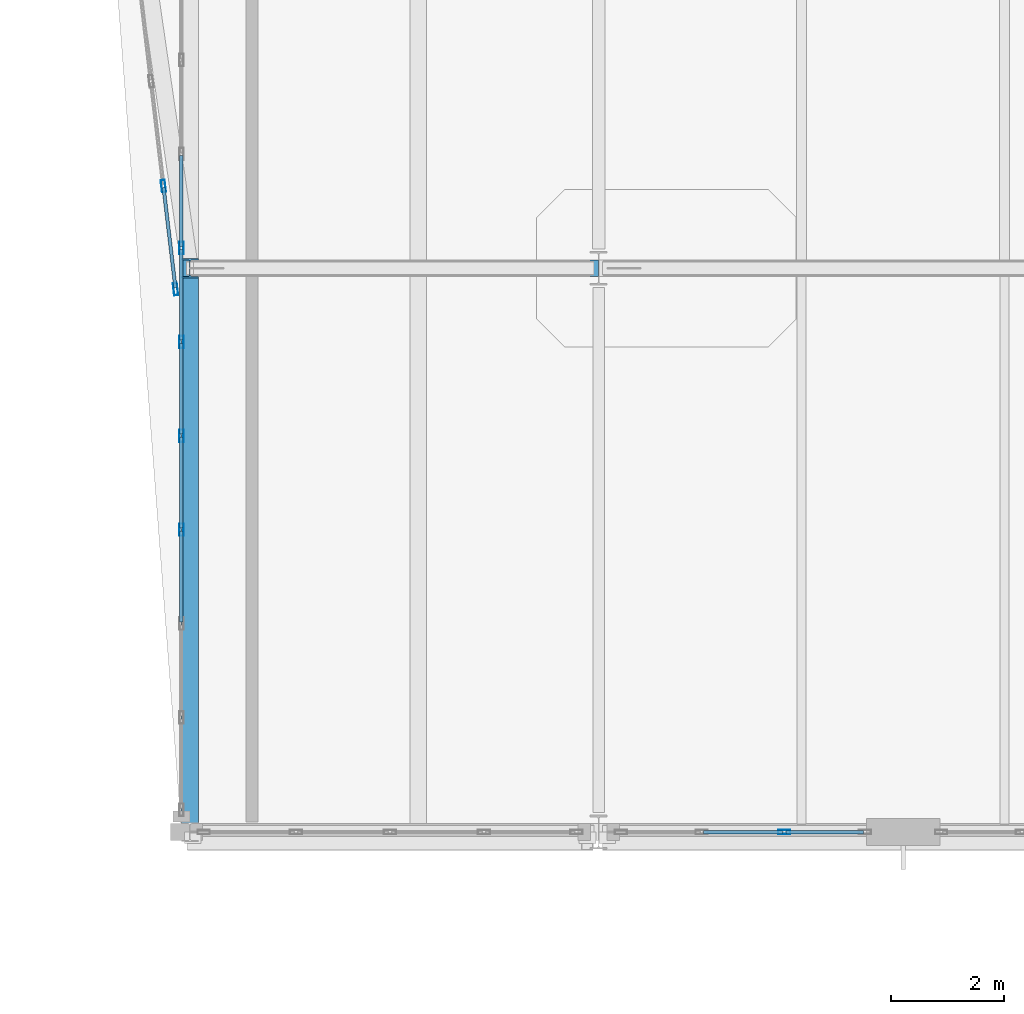
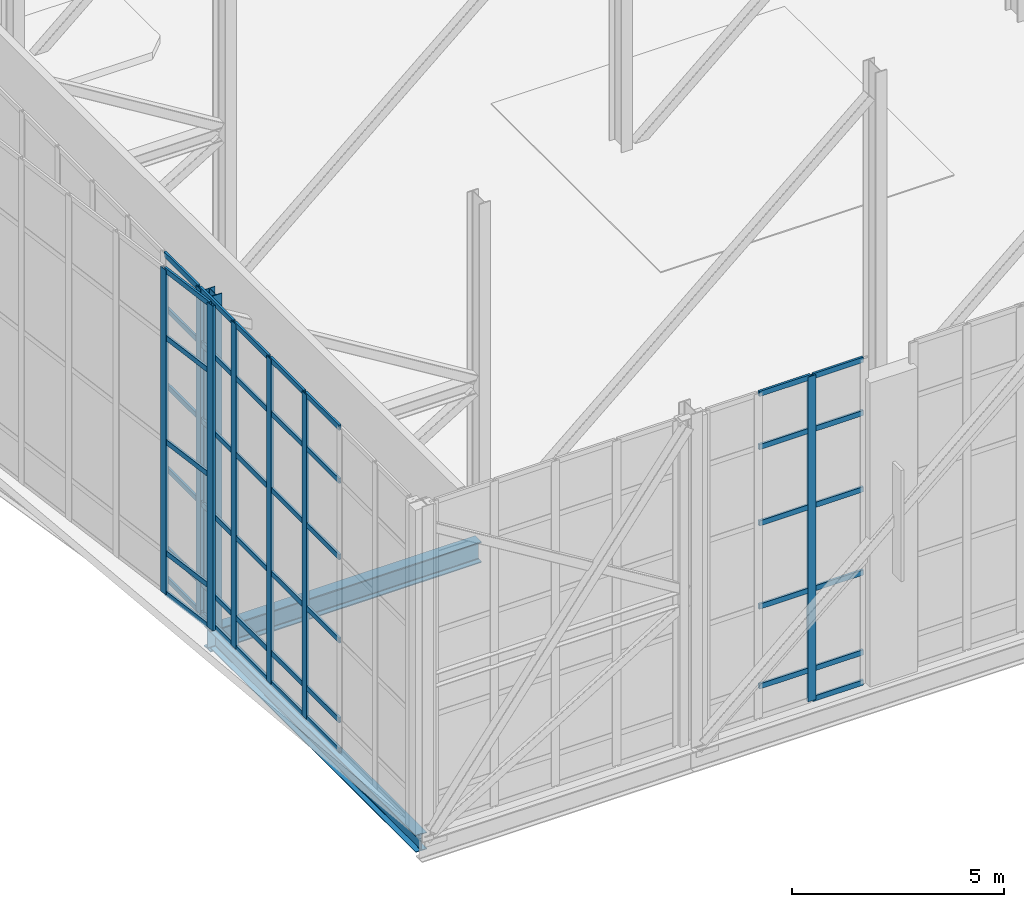
# One storey, part 13 of 100: 54 members, 2 beams, 3 elements without a shape of their own.
"""IFC4 building model written with IfcOpenShell, lengths in metres."""

from ifc_helpers import new_model, si_unit, direction, frame, origin, origin_2d, place, context, subcontext, project, spatial, hollow_rectangle, i_section, extrude, material, layer, layer_set, material_profile, profile_set, type_object, element, aggregate, save


model = new_model("IFC4")

# Units and contexts
model_context = context("Model", 3, precision=1e-05, world=origin(), true_north=direction((0.0, 1.0)))
body_context = subcontext(model_context, "Body", "Model", "MODEL_VIEW")
ifc_project = project(units=[si_unit("LENGTHUNIT", "METRE"), si_unit("AREAUNIT", "SQUARE_METRE"), si_unit("VOLUMEUNIT", "CUBIC_METRE"), si_unit("PLANEANGLEUNIT", "RADIAN"), si_unit("MASSUNIT", "GRAM", prefix="KILO")], contexts=[model_context])

# Site, building, storey
site_placement = place(None, origin())
site = spatial("IfcSite", under=ifc_project, at=site_placement, CompositionType="ELEMENT")
building_placement = place(site_placement, origin())
building = spatial("IfcBuilding", under=site, at=building_placement, Name="Tasgan Crest Museum", CompositionType="ELEMENT")
storey_placement = place(building_placement, frame((0.0, 0.0, 14.39990234375)))
storey = spatial("IfcBuildingStorey", under=building, at=storey_placement, Name="L03", CompositionType="ELEMENT", Elevation=14.39990234375)

# Beams
ifc_material_1 = material(Name="Steel S355K2", Category="steel")
ifc_material_profile_1 = material_profile(ifc_material_1, i_section(OverallWidth=0.300048828125, OverallDepth=0.60009765625, WebThickness=0.015380859375, FlangeThickness=0.030029296875, FilletRadius=0.027099609375, at=origin_2d()), Name="HEB 600")
ifc_profile_set_1 = profile_set([ifc_material_profile_1], Name="Steel S355K2")
beam_type_1 = type_object("IfcBeamType", Name="BM-CANT-G1", PredefinedType="BEAM", material=ifc_profile_set_1)
beam_1_placement = place(storey_placement, frame((3.39990234375, 50.0, -0.559814453125), z_axis=(1.0, 0.0, 0.0), x_axis=(0.0, 1.0, 0.0)))
element("IfcBeam", 1, at=beam_1_placement, inside=storey, type_object=beam_type_1, Name="Cantilever transfer girder MID F", PredefinedType="BEAM", context=body_context, shape_type="SweptSolid", body=[
    extrude(i_section(OverallWidth=0.300048828125, OverallDepth=0.60009765625, WebThickness=0.015380859375, FlangeThickness=0.030029296875, FilletRadius=0.027099609375, at=origin_2d()), origin(), (0.0, 0.0, 1.0), 7.3935546875),
])
ifc_material_2 = material(Name="Steel S355J2", Category="steel")
ifc_material_profile_2 = material_profile(ifc_material_2, i_section(OverallWidth=0.300048828125, OverallDepth=0.489990234375, WebThickness=0.011962890625, FlangeThickness=0.02294921875, FilletRadius=0.027099609375, at=origin_2d()), Name="HEA 500")
ifc_profile_set_2 = profile_set([ifc_material_profile_2], Name="Steel S355J2")
beam_type_2 = type_object("IfcBeamType", Name="BM-G-HEA500", PredefinedType="BEAM", material=ifc_profile_set_2)
beam_2_placement = place(storey_placement, frame((3.550048828125, 40.14990234375, -0.5048828125), z_axis=(0.0, 1.0, 0.0), x_axis=(-1.0, 0.0, 0.0)))
element("IfcBeam", 2, at=beam_2_placement, inside=storey, type_object=beam_type_2, Name="Cantilever edge beam L03 TIP 40-50", PredefinedType="BEAM", context=body_context, shape_type="SweptSolid", body=[
    extrude(i_section(OverallWidth=0.300048828125, OverallDepth=0.489990234375, WebThickness=0.011962890625, FlangeThickness=0.02294921875, FilletRadius=0.027099609375, at=origin_2d()), origin(), (0.0, 0.0, 1.0), 9.7001953125),
])

# Curtain wall, members
ifc_material_3 = material(Name="Triple-Glazed Aluminium Curtain Wall", Category="aluminium")
ifc_layer_1 = layer(ifc_material_3, 0.179931640625, Name="CW-CANT-TIP-96")
ifc_layer_set_1 = layer_set([ifc_layer_1], Name="Triple-Glazed Aluminium Curtain Wall")
curtain_wall_type_1 = type_object("IfcCurtainWallType", Name="CW-CANT-TIP-96", PredefinedType="NOTDEFINED", material=ifc_layer_set_1)
curtain_wall_1_placement = place(storey_placement, origin())
curtain_wall_1 = element("IfcCurtainWall", 3, at=curtain_wall_1_placement, inside=storey, type_object=curtain_wall_type_1, Name="Curtain wall L03 139", PredefinedType="NOTDEFINED")
ifc_material_4 = material(Name="Anodised Aluminium", Category="aluminium")
ifc_material_profile_3 = material_profile(ifc_material_4, hollow_rectangle(XDim=0.074951171875, YDim=0.219970703125, WallThickness=0.006103515625, at=origin_2d()), Name="ALU MULLION 220x75x6")
ifc_profile_set_3 = profile_set([ifc_material_profile_3], Name="Anodised Aluminium")
member_type_1 = type_object("IfcMemberType", Name="CW-MULLION-220", PredefinedType="MULLION", material=ifc_profile_set_3)
member_1_placement = place(storey_placement, frame((3.39990234375, 50.360107421875, 0.0), z_axis=(0.0, 0.0, 1.0), x_axis=(1.0, 0.0, 0.0)))
member_1 = element("IfcMember", 4, at=member_1_placement, type_object=member_type_1, Name="CW10 mullion 7", PredefinedType="MULLION", context=body_context, shape_type="SweptSolid", body=[
    extrude(hollow_rectangle(XDim=0.074951171875, YDim=0.219970703125, WallThickness=0.006103515625, at=origin_2d()), origin(), (0.0, 0.0, 1.0), 9.360107421875),
])
member_2_placement = place(storey_placement, frame((3.39990234375, 48.694091796875, 0.0), z_axis=(0.0, 0.0, 1.0), x_axis=(1.0, 0.0, 0.0)))
member_2 = element("IfcMember", 5, at=member_2_placement, type_object=member_type_1, Name="CW10 mullion 8", PredefinedType="MULLION", context=body_context, shape_type="SweptSolid", body=[
    extrude(hollow_rectangle(XDim=0.074951171875, YDim=0.219970703125, WallThickness=0.006103515625, at=origin_2d()), origin(), (0.0, 0.0, 1.0), 9.360107421875),
])
member_3_placement = place(storey_placement, frame((3.39990234375, 47.0283203125, 0.0), z_axis=(0.0, 0.0, 1.0), x_axis=(1.0, 0.0, 0.0)))
member_3 = element("IfcMember", 6, at=member_3_placement, type_object=member_type_1, Name="CW10 mullion 9", PredefinedType="MULLION", context=body_context, shape_type="SweptSolid", body=[
    extrude(hollow_rectangle(XDim=0.074951171875, YDim=0.219970703125, WallThickness=0.006103515625, at=origin_2d()), origin(), (0.0, 0.0, 1.0), 9.360107421875),
])
member_4_placement = place(storey_placement, frame((3.39990234375, 45.362548828125, 0.0), z_axis=(0.0, 0.0, 1.0), x_axis=(1.0, 0.0, 0.0)))
member_4 = element("IfcMember", 7, at=member_4_placement, type_object=member_type_1, Name="CW10 mullion 10", PredefinedType="MULLION", context=body_context, shape_type="SweptSolid", body=[
    extrude(hollow_rectangle(XDim=0.074951171875, YDim=0.219970703125, WallThickness=0.006103515625, at=origin_2d()), origin(), (0.0, 0.0, 1.0), 9.360107421875),
])

# Curtain wall, member
ifc_material_5 = material(Name="Triple-Glazed Aluminium Curtain Wall", Category="aluminium")
ifc_layer_2 = layer(ifc_material_5, 0.179931640625, Name="CW-CANT-SIDE-96")
ifc_layer_set_2 = layer_set([ifc_layer_2], Name="Triple-Glazed Aluminium Curtain Wall")
curtain_wall_type_2 = type_object("IfcCurtainWallType", Name="CW-CANT-SIDE-96", PredefinedType="NOTDEFINED", material=ifc_layer_set_2)
curtain_wall_2_placement = place(storey_placement, origin())
curtain_wall_2 = element("IfcCurtainWall", 8, at=curtain_wall_2_placement, inside=storey, type_object=curtain_wall_type_2, Name="Curtain wall L03 141", PredefinedType="NOTDEFINED")
member_5_placement = place(storey_placement, frame((14.091552734375, 40.0, 0.0), z_axis=(0.0, 0.0, 1.0), x_axis=(0.0, 1.0, 0.0)))
member_5 = element("IfcMember", 9, at=member_5_placement, type_object=member_type_1, Name="CW12 mullion 3", PredefinedType="MULLION", context=body_context, shape_type="SweptSolid", body=[
    extrude(hollow_rectangle(XDim=0.074951171875, YDim=0.219970703125, WallThickness=0.006103515625, at=origin_2d()), origin(), (0.0, 0.0, 1.0), 9.360107421875),
])

# Curtain wall, members
curtain_wall_3_placement = place(storey_placement, origin())
curtain_wall_3 = element("IfcCurtainWall", 10, at=curtain_wall_3_placement, inside=storey, type_object=curtain_wall_type_1, Name="Cantilevered prow curtain wall L03 PROW-S", PredefinedType="NOTDEFINED")
member_6_placement = place(storey_placement, frame((3.29638671875, 49.6298828125, 0.0), z_axis=(0.0, 0.0, 1.0), x_axis=(-0.993065228329, -0.117564672774, 0.0)))
member_6 = element("IfcMember", 11, at=member_6_placement, type_object=member_type_1, Name="CW10 mullion 1", PredefinedType="MULLION", context=body_context, shape_type="SweptSolid", body=[
    extrude(hollow_rectangle(XDim=0.074951171875, YDim=0.219970703125, WallThickness=0.006103515625, at=origin_2d()), origin(), (0.0, 0.0, 1.0), 9.360107421875),
])
member_7_placement = place(storey_placement, frame((3.080078125, 51.458251953125, 0.0), z_axis=(0.0, 0.0, 1.0), x_axis=(-0.993065228329, -0.117564672774, 0.0)))
member_7 = element("IfcMember", 12, at=member_7_placement, type_object=member_type_1, Name="CW10 mullion 2", PredefinedType="MULLION", context=body_context, shape_type="SweptSolid", body=[
    extrude(hollow_rectangle(XDim=0.074951171875, YDim=0.219970703125, WallThickness=0.006103515625, at=origin_2d()), origin(), (0.0, 0.0, 1.0), 9.360107421875),
])

# Member
ifc_material_6 = material(Name="Anodised Aluminium", Category="aluminium")
ifc_material_profile_4 = material_profile(ifc_material_6, hollow_rectangle(XDim=0.06005859375, YDim=0.14990234375, WallThickness=0.0048828125, at=origin_2d()), Name="ALU TRANSOM 150x60x5")
ifc_profile_set_4 = profile_set([ifc_material_profile_4], Name="Anodised Aluminium")
member_type_2 = type_object("IfcMemberType", Name="CW-TRANSOM-150", PredefinedType="USERDEFINED", material=ifc_profile_set_4)
member_8_placement = place(storey_placement, frame((3.39990234375, 51.995849609375, 0.030029296875), z_axis=(0.0, -1.0, 0.0), x_axis=(1.0, 0.0, 0.0)))
member_8 = element("IfcMember", 13, at=member_8_placement, type_object=member_type_2, Name="CW10 transom 6.1", ObjectType="TRANSOM", PredefinedType="USERDEFINED", context=body_context, shape_type="SweptSolid", body=[
    extrude(hollow_rectangle(XDim=0.06005859375, YDim=0.14990234375, WallThickness=0.0048828125, at=origin_2d()), origin(), (0.0, 0.0, 1.0), 1.60595703125),
])

member_9_placement = place(storey_placement, frame((3.39990234375, 51.995849609375, 0.900146484375), z_axis=(0.0, -1.0, 0.0), x_axis=(1.0, 0.0, 0.0)))
member_9 = element("IfcMember", 14, at=member_9_placement, type_object=member_type_2, Name="CW10 transom 6.2", ObjectType="TRANSOM", PredefinedType="USERDEFINED", context=body_context, shape_type="SweptSolid", body=[
    extrude(hollow_rectangle(XDim=0.06005859375, YDim=0.14990234375, WallThickness=0.0048828125, at=origin_2d()), origin(), (0.0, 0.0, 1.0), 1.60595703125),
])

member_10_placement = place(storey_placement, frame((3.39990234375, 51.995849609375, 3.2001953125), z_axis=(0.0, -1.0, 0.0), x_axis=(1.0, 0.0, 0.0)))
member_10 = element("IfcMember", 15, at=member_10_placement, type_object=member_type_2, Name="CW10 transom 6.3", ObjectType="TRANSOM", PredefinedType="USERDEFINED", context=body_context, shape_type="SweptSolid", body=[
    extrude(hollow_rectangle(XDim=0.06005859375, YDim=0.14990234375, WallThickness=0.0048828125, at=origin_2d()), origin(), (0.0, 0.0, 1.0), 1.60595703125),
])

member_11_placement = place(storey_placement, frame((3.39990234375, 51.995849609375, 5.60009765625), z_axis=(0.0, -1.0, 0.0), x_axis=(1.0, 0.0, 0.0)))
member_11 = element("IfcMember", 16, at=member_11_placement, type_object=member_type_2, Name="CW10 transom 6.4", ObjectType="TRANSOM", PredefinedType="USERDEFINED", context=body_context, shape_type="SweptSolid", body=[
    extrude(hollow_rectangle(XDim=0.06005859375, YDim=0.14990234375, WallThickness=0.0048828125, at=origin_2d()), origin(), (0.0, 0.0, 1.0), 1.60595703125),
])

member_12_placement = place(storey_placement, frame((3.39990234375, 51.995849609375, 7.800048828125), z_axis=(0.0, -1.0, 0.0), x_axis=(1.0, 0.0, 0.0)))
member_12 = element("IfcMember", 17, at=member_12_placement, type_object=member_type_2, Name="CW10 transom 6.5", ObjectType="TRANSOM", PredefinedType="USERDEFINED", context=body_context, shape_type="SweptSolid", body=[
    extrude(hollow_rectangle(XDim=0.06005859375, YDim=0.14990234375, WallThickness=0.0048828125, at=origin_2d()), origin(), (0.0, 0.0, 1.0), 1.60595703125),
])

member_13_placement = place(storey_placement, frame((3.39990234375, 51.995849609375, 9.330078125), z_axis=(0.0, -1.0, 0.0), x_axis=(1.0, 0.0, 0.0)))
member_13 = element("IfcMember", 18, at=member_13_placement, type_object=member_type_2, Name="CW10 transom 6.6", ObjectType="TRANSOM", PredefinedType="USERDEFINED", context=body_context, shape_type="SweptSolid", body=[
    extrude(hollow_rectangle(XDim=0.06005859375, YDim=0.14990234375, WallThickness=0.0048828125, at=origin_2d()), origin(), (0.0, 0.0, 1.0), 1.60595703125),
])

member_14_placement = place(storey_placement, frame((3.39990234375, 50.330078125, 0.030029296875), z_axis=(0.0, -1.0, 0.0), x_axis=(1.0, 0.0, 0.0)))
member_14 = element("IfcMember", 19, at=member_14_placement, type_object=member_type_2, Name="CW10 transom 7.1", ObjectType="TRANSOM", PredefinedType="USERDEFINED", context=body_context, shape_type="SweptSolid", body=[
    extrude(hollow_rectangle(XDim=0.06005859375, YDim=0.14990234375, WallThickness=0.0048828125, at=origin_2d()), origin(), (0.0, 0.0, 1.0), 1.60595703125),
])

member_15_placement = place(storey_placement, frame((3.39990234375, 50.330078125, 0.900146484375), z_axis=(0.0, -1.0, 0.0), x_axis=(1.0, 0.0, 0.0)))
member_15 = element("IfcMember", 20, at=member_15_placement, type_object=member_type_2, Name="CW10 transom 7.2", ObjectType="TRANSOM", PredefinedType="USERDEFINED", context=body_context, shape_type="SweptSolid", body=[
    extrude(hollow_rectangle(XDim=0.06005859375, YDim=0.14990234375, WallThickness=0.0048828125, at=origin_2d()), origin(), (0.0, 0.0, 1.0), 1.60595703125),
])

member_16_placement = place(storey_placement, frame((3.39990234375, 50.330078125, 3.2001953125), z_axis=(0.0, -1.0, 0.0), x_axis=(1.0, 0.0, 0.0)))
member_16 = element("IfcMember", 21, at=member_16_placement, type_object=member_type_2, Name="CW10 transom 7.3", ObjectType="TRANSOM", PredefinedType="USERDEFINED", context=body_context, shape_type="SweptSolid", body=[
    extrude(hollow_rectangle(XDim=0.06005859375, YDim=0.14990234375, WallThickness=0.0048828125, at=origin_2d()), origin(), (0.0, 0.0, 1.0), 1.60595703125),
])

member_17_placement = place(storey_placement, frame((3.39990234375, 50.330078125, 5.60009765625), z_axis=(0.0, -1.0, 0.0), x_axis=(1.0, 0.0, 0.0)))
member_17 = element("IfcMember", 22, at=member_17_placement, type_object=member_type_2, Name="CW10 transom 7.4", ObjectType="TRANSOM", PredefinedType="USERDEFINED", context=body_context, shape_type="SweptSolid", body=[
    extrude(hollow_rectangle(XDim=0.06005859375, YDim=0.14990234375, WallThickness=0.0048828125, at=origin_2d()), origin(), (0.0, 0.0, 1.0), 1.60595703125),
])

member_18_placement = place(storey_placement, frame((3.39990234375, 50.330078125, 7.800048828125), z_axis=(0.0, -1.0, 0.0), x_axis=(1.0, 0.0, 0.0)))
member_18 = element("IfcMember", 23, at=member_18_placement, type_object=member_type_2, Name="CW10 transom 7.5", ObjectType="TRANSOM", PredefinedType="USERDEFINED", context=body_context, shape_type="SweptSolid", body=[
    extrude(hollow_rectangle(XDim=0.06005859375, YDim=0.14990234375, WallThickness=0.0048828125, at=origin_2d()), origin(), (0.0, 0.0, 1.0), 1.60595703125),
])

member_19_placement = place(storey_placement, frame((3.39990234375, 50.330078125, 9.330078125), z_axis=(0.0, -1.0, 0.0), x_axis=(1.0, 0.0, 0.0)))
member_19 = element("IfcMember", 24, at=member_19_placement, type_object=member_type_2, Name="CW10 transom 7.6", ObjectType="TRANSOM", PredefinedType="USERDEFINED", context=body_context, shape_type="SweptSolid", body=[
    extrude(hollow_rectangle(XDim=0.06005859375, YDim=0.14990234375, WallThickness=0.0048828125, at=origin_2d()), origin(), (0.0, 0.0, 1.0), 1.60595703125),
])

member_20_placement = place(storey_placement, frame((3.39990234375, 48.6640625, 0.030029296875), z_axis=(0.0, -1.0, 0.0), x_axis=(1.0, 0.0, 0.0)))
member_20 = element("IfcMember", 25, at=member_20_placement, type_object=member_type_2, Name="CW10 transom 8.1", ObjectType="TRANSOM", PredefinedType="USERDEFINED", context=body_context, shape_type="SweptSolid", body=[
    extrude(hollow_rectangle(XDim=0.06005859375, YDim=0.14990234375, WallThickness=0.0048828125, at=origin_2d()), origin(), (0.0, 0.0, 1.0), 1.605712890625),
])

member_21_placement = place(storey_placement, frame((3.39990234375, 48.6640625, 0.900146484375), z_axis=(0.0, -1.0, 0.0), x_axis=(1.0, 0.0, 0.0)))
member_21 = element("IfcMember", 26, at=member_21_placement, type_object=member_type_2, Name="CW10 transom 8.2", ObjectType="TRANSOM", PredefinedType="USERDEFINED", context=body_context, shape_type="SweptSolid", body=[
    extrude(hollow_rectangle(XDim=0.06005859375, YDim=0.14990234375, WallThickness=0.0048828125, at=origin_2d()), origin(), (0.0, 0.0, 1.0), 1.605712890625),
])

member_22_placement = place(storey_placement, frame((3.39990234375, 48.6640625, 3.2001953125), z_axis=(0.0, -1.0, 0.0), x_axis=(1.0, 0.0, 0.0)))
member_22 = element("IfcMember", 27, at=member_22_placement, type_object=member_type_2, Name="CW10 transom 8.3", ObjectType="TRANSOM", PredefinedType="USERDEFINED", context=body_context, shape_type="SweptSolid", body=[
    extrude(hollow_rectangle(XDim=0.06005859375, YDim=0.14990234375, WallThickness=0.0048828125, at=origin_2d()), origin(), (0.0, 0.0, 1.0), 1.605712890625),
])

member_23_placement = place(storey_placement, frame((3.39990234375, 48.6640625, 5.60009765625), z_axis=(0.0, -1.0, 0.0), x_axis=(1.0, 0.0, 0.0)))
member_23 = element("IfcMember", 28, at=member_23_placement, type_object=member_type_2, Name="CW10 transom 8.4", ObjectType="TRANSOM", PredefinedType="USERDEFINED", context=body_context, shape_type="SweptSolid", body=[
    extrude(hollow_rectangle(XDim=0.06005859375, YDim=0.14990234375, WallThickness=0.0048828125, at=origin_2d()), origin(), (0.0, 0.0, 1.0), 1.605712890625),
])

member_24_placement = place(storey_placement, frame((3.39990234375, 48.6640625, 7.800048828125), z_axis=(0.0, -1.0, 0.0), x_axis=(1.0, 0.0, 0.0)))
member_24 = element("IfcMember", 29, at=member_24_placement, type_object=member_type_2, Name="CW10 transom 8.5", ObjectType="TRANSOM", PredefinedType="USERDEFINED", context=body_context, shape_type="SweptSolid", body=[
    extrude(hollow_rectangle(XDim=0.06005859375, YDim=0.14990234375, WallThickness=0.0048828125, at=origin_2d()), origin(), (0.0, 0.0, 1.0), 1.605712890625),
])

member_25_placement = place(storey_placement, frame((3.39990234375, 48.6640625, 9.330078125), z_axis=(0.0, -1.0, 0.0), x_axis=(1.0, 0.0, 0.0)))
member_25 = element("IfcMember", 30, at=member_25_placement, type_object=member_type_2, Name="CW10 transom 8.6", ObjectType="TRANSOM", PredefinedType="USERDEFINED", context=body_context, shape_type="SweptSolid", body=[
    extrude(hollow_rectangle(XDim=0.06005859375, YDim=0.14990234375, WallThickness=0.0048828125, at=origin_2d()), origin(), (0.0, 0.0, 1.0), 1.605712890625),
])

member_26_placement = place(storey_placement, frame((3.39990234375, 46.998291015625, 0.030029296875), z_axis=(0.0, -1.0, 0.0), x_axis=(1.0, 0.0, 0.0)))
member_26 = element("IfcMember", 31, at=member_26_placement, type_object=member_type_2, Name="CW10 transom 9.1", ObjectType="TRANSOM", PredefinedType="USERDEFINED", context=body_context, shape_type="SweptSolid", body=[
    extrude(hollow_rectangle(XDim=0.06005859375, YDim=0.14990234375, WallThickness=0.0048828125, at=origin_2d()), origin(), (0.0, 0.0, 1.0), 1.605712890625),
])

member_27_placement = place(storey_placement, frame((3.39990234375, 46.998291015625, 0.900146484375), z_axis=(0.0, -1.0, 0.0), x_axis=(1.0, 0.0, 0.0)))
member_27 = element("IfcMember", 32, at=member_27_placement, type_object=member_type_2, Name="CW10 transom 9.2", ObjectType="TRANSOM", PredefinedType="USERDEFINED", context=body_context, shape_type="SweptSolid", body=[
    extrude(hollow_rectangle(XDim=0.06005859375, YDim=0.14990234375, WallThickness=0.0048828125, at=origin_2d()), origin(), (0.0, 0.0, 1.0), 1.605712890625),
])

member_28_placement = place(storey_placement, frame((3.39990234375, 46.998291015625, 3.2001953125), z_axis=(0.0, -1.0, 0.0), x_axis=(1.0, 0.0, 0.0)))
member_28 = element("IfcMember", 33, at=member_28_placement, type_object=member_type_2, Name="CW10 transom 9.3", ObjectType="TRANSOM", PredefinedType="USERDEFINED", context=body_context, shape_type="SweptSolid", body=[
    extrude(hollow_rectangle(XDim=0.06005859375, YDim=0.14990234375, WallThickness=0.0048828125, at=origin_2d()), origin(), (0.0, 0.0, 1.0), 1.605712890625),
])

member_29_placement = place(storey_placement, frame((3.39990234375, 46.998291015625, 5.60009765625), z_axis=(0.0, -1.0, 0.0), x_axis=(1.0, 0.0, 0.0)))
member_29 = element("IfcMember", 34, at=member_29_placement, type_object=member_type_2, Name="CW10 transom 9.4", ObjectType="TRANSOM", PredefinedType="USERDEFINED", context=body_context, shape_type="SweptSolid", body=[
    extrude(hollow_rectangle(XDim=0.06005859375, YDim=0.14990234375, WallThickness=0.0048828125, at=origin_2d()), origin(), (0.0, 0.0, 1.0), 1.605712890625),
])

member_30_placement = place(storey_placement, frame((3.39990234375, 46.998291015625, 7.800048828125), z_axis=(0.0, -1.0, 0.0), x_axis=(1.0, 0.0, 0.0)))
member_30 = element("IfcMember", 35, at=member_30_placement, type_object=member_type_2, Name="CW10 transom 9.5", ObjectType="TRANSOM", PredefinedType="USERDEFINED", context=body_context, shape_type="SweptSolid", body=[
    extrude(hollow_rectangle(XDim=0.06005859375, YDim=0.14990234375, WallThickness=0.0048828125, at=origin_2d()), origin(), (0.0, 0.0, 1.0), 1.605712890625),
])

member_31_placement = place(storey_placement, frame((3.39990234375, 46.998291015625, 9.330078125), z_axis=(0.0, -1.0, 0.0), x_axis=(1.0, 0.0, 0.0)))
member_31 = element("IfcMember", 36, at=member_31_placement, type_object=member_type_2, Name="CW10 transom 9.6", ObjectType="TRANSOM", PredefinedType="USERDEFINED", context=body_context, shape_type="SweptSolid", body=[
    extrude(hollow_rectangle(XDim=0.06005859375, YDim=0.14990234375, WallThickness=0.0048828125, at=origin_2d()), origin(), (0.0, 0.0, 1.0), 1.605712890625),
])

member_32_placement = place(storey_placement, frame((3.39990234375, 45.33251953125, 0.030029296875), z_axis=(0.0, -1.0, 0.0), x_axis=(1.0, 0.0, 0.0)))
member_32 = element("IfcMember", 37, at=member_32_placement, type_object=member_type_2, Name="CW10 transom 10.1", ObjectType="TRANSOM", PredefinedType="USERDEFINED", context=body_context, shape_type="SweptSolid", body=[
    extrude(hollow_rectangle(XDim=0.06005859375, YDim=0.14990234375, WallThickness=0.0048828125, at=origin_2d()), origin(), (0.0, 0.0, 1.0), 1.60595703125),
])

member_33_placement = place(storey_placement, frame((3.39990234375, 45.33251953125, 0.900146484375), z_axis=(0.0, -1.0, 0.0), x_axis=(1.0, 0.0, 0.0)))
member_33 = element("IfcMember", 38, at=member_33_placement, type_object=member_type_2, Name="CW10 transom 10.2", ObjectType="TRANSOM", PredefinedType="USERDEFINED", context=body_context, shape_type="SweptSolid", body=[
    extrude(hollow_rectangle(XDim=0.06005859375, YDim=0.14990234375, WallThickness=0.0048828125, at=origin_2d()), origin(), (0.0, 0.0, 1.0), 1.60595703125),
])

member_34_placement = place(storey_placement, frame((3.39990234375, 45.33251953125, 3.2001953125), z_axis=(0.0, -1.0, 0.0), x_axis=(1.0, 0.0, 0.0)))
member_34 = element("IfcMember", 39, at=member_34_placement, type_object=member_type_2, Name="CW10 transom 10.3", ObjectType="TRANSOM", PredefinedType="USERDEFINED", context=body_context, shape_type="SweptSolid", body=[
    extrude(hollow_rectangle(XDim=0.06005859375, YDim=0.14990234375, WallThickness=0.0048828125, at=origin_2d()), origin(), (0.0, 0.0, 1.0), 1.60595703125),
])

member_35_placement = place(storey_placement, frame((3.39990234375, 45.33251953125, 5.60009765625), z_axis=(0.0, -1.0, 0.0), x_axis=(1.0, 0.0, 0.0)))
member_35 = element("IfcMember", 40, at=member_35_placement, type_object=member_type_2, Name="CW10 transom 10.4", ObjectType="TRANSOM", PredefinedType="USERDEFINED", context=body_context, shape_type="SweptSolid", body=[
    extrude(hollow_rectangle(XDim=0.06005859375, YDim=0.14990234375, WallThickness=0.0048828125, at=origin_2d()), origin(), (0.0, 0.0, 1.0), 1.60595703125),
])

member_36_placement = place(storey_placement, frame((3.39990234375, 45.33251953125, 7.800048828125), z_axis=(0.0, -1.0, 0.0), x_axis=(1.0, 0.0, 0.0)))
member_36 = element("IfcMember", 41, at=member_36_placement, type_object=member_type_2, Name="CW10 transom 10.5", ObjectType="TRANSOM", PredefinedType="USERDEFINED", context=body_context, shape_type="SweptSolid", body=[
    extrude(hollow_rectangle(XDim=0.06005859375, YDim=0.14990234375, WallThickness=0.0048828125, at=origin_2d()), origin(), (0.0, 0.0, 1.0), 1.60595703125),
])

member_37_placement = place(storey_placement, frame((3.39990234375, 45.33251953125, 9.330078125), z_axis=(0.0, -1.0, 0.0), x_axis=(1.0, 0.0, 0.0)))
member_37 = element("IfcMember", 42, at=member_37_placement, type_object=member_type_2, Name="CW10 transom 10.6", ObjectType="TRANSOM", PredefinedType="USERDEFINED", context=body_context, shape_type="SweptSolid", body=[
    extrude(hollow_rectangle(XDim=0.06005859375, YDim=0.14990234375, WallThickness=0.0048828125, at=origin_2d()), origin(), (0.0, 0.0, 1.0), 1.60595703125),
])

aggregate(curtain_wall_1, [member_1, member_2, member_3, member_4, member_8, member_9, member_10, member_11, member_12, member_13, member_14, member_15, member_16, member_17, member_18, member_19, member_20, member_21, member_22, member_23, member_24, member_25, member_26, member_27, member_28, member_29, member_30, member_31, member_32, member_33, member_34, member_35, member_36, member_37])

member_38_placement = place(storey_placement, frame((12.658447265625, 40.0, 0.900146484375), z_axis=(1.0, 0.0, 0.0), x_axis=(0.0, 1.0, 0.0)))
member_38 = element("IfcMember", 43, at=member_38_placement, type_object=member_type_2, Name="CW12 transom 2.2", ObjectType="TRANSOM", PredefinedType="USERDEFINED", context=body_context, shape_type="SweptSolid", body=[
    extrude(hollow_rectangle(XDim=0.06005859375, YDim=0.14990234375, WallThickness=0.0048828125, at=origin_2d()), origin(), (0.0, 0.0, 1.0), 1.4033203125),
])

member_39_placement = place(storey_placement, frame((12.658447265625, 40.0, 3.2001953125), z_axis=(1.0, 0.0, 0.0), x_axis=(0.0, 1.0, 0.0)))
member_39 = element("IfcMember", 44, at=member_39_placement, type_object=member_type_2, Name="CW12 transom 2.3", ObjectType="TRANSOM", PredefinedType="USERDEFINED", context=body_context, shape_type="SweptSolid", body=[
    extrude(hollow_rectangle(XDim=0.06005859375, YDim=0.14990234375, WallThickness=0.0048828125, at=origin_2d()), origin(), (0.0, 0.0, 1.0), 1.4033203125),
])

member_40_placement = place(storey_placement, frame((12.658447265625, 40.0, 5.60009765625), z_axis=(1.0, 0.0, 0.0), x_axis=(0.0, 1.0, 0.0)))
member_40 = element("IfcMember", 45, at=member_40_placement, type_object=member_type_2, Name="CW12 transom 2.4", ObjectType="TRANSOM", PredefinedType="USERDEFINED", context=body_context, shape_type="SweptSolid", body=[
    extrude(hollow_rectangle(XDim=0.06005859375, YDim=0.14990234375, WallThickness=0.0048828125, at=origin_2d()), origin(), (0.0, 0.0, 1.0), 1.4033203125),
])

member_41_placement = place(storey_placement, frame((12.658447265625, 40.0, 7.800048828125), z_axis=(1.0, 0.0, 0.0), x_axis=(0.0, 1.0, 0.0)))
member_41 = element("IfcMember", 46, at=member_41_placement, type_object=member_type_2, Name="CW12 transom 2.5", ObjectType="TRANSOM", PredefinedType="USERDEFINED", context=body_context, shape_type="SweptSolid", body=[
    extrude(hollow_rectangle(XDim=0.06005859375, YDim=0.14990234375, WallThickness=0.0048828125, at=origin_2d()), origin(), (0.0, 0.0, 1.0), 1.4033203125),
])

member_42_placement = place(storey_placement, frame((12.658447265625, 40.0, 9.330078125), z_axis=(1.0, 0.0, 0.0), x_axis=(0.0, 1.0, 0.0)))
member_42 = element("IfcMember", 47, at=member_42_placement, type_object=member_type_2, Name="CW12 transom 2.6", ObjectType="TRANSOM", PredefinedType="USERDEFINED", context=body_context, shape_type="SweptSolid", body=[
    extrude(hollow_rectangle(XDim=0.06005859375, YDim=0.14990234375, WallThickness=0.0048828125, at=origin_2d()), origin(), (0.0, 0.0, 1.0), 1.4033203125),
])

member_43_placement = place(storey_placement, frame((14.12158203125, 40.0, 0.030029296875), z_axis=(1.0, 0.0, 0.0), x_axis=(0.0, 1.0, 0.0)))
member_43 = element("IfcMember", 48, at=member_43_placement, type_object=member_type_2, Name="CW12 transom 3.1", ObjectType="TRANSOM", PredefinedType="USERDEFINED", context=body_context, shape_type="SweptSolid", body=[
    extrude(hollow_rectangle(XDim=0.06005859375, YDim=0.14990234375, WallThickness=0.0048828125, at=origin_2d()), origin(), (0.0, 0.0, 1.0), 1.37353515625),
])

member_44_placement = place(storey_placement, frame((14.12158203125, 40.0, 0.900146484375), z_axis=(1.0, 0.0, 0.0), x_axis=(0.0, 1.0, 0.0)))
member_44 = element("IfcMember", 49, at=member_44_placement, type_object=member_type_2, Name="CW12 transom 3.2", ObjectType="TRANSOM", PredefinedType="USERDEFINED", context=body_context, shape_type="SweptSolid", body=[
    extrude(hollow_rectangle(XDim=0.06005859375, YDim=0.14990234375, WallThickness=0.0048828125, at=origin_2d()), origin(), (0.0, 0.0, 1.0), 1.37353515625),
])

member_45_placement = place(storey_placement, frame((14.12158203125, 40.0, 3.2001953125), z_axis=(1.0, 0.0, 0.0), x_axis=(0.0, 1.0, 0.0)))
member_45 = element("IfcMember", 50, at=member_45_placement, type_object=member_type_2, Name="CW12 transom 3.3", ObjectType="TRANSOM", PredefinedType="USERDEFINED", context=body_context, shape_type="SweptSolid", body=[
    extrude(hollow_rectangle(XDim=0.06005859375, YDim=0.14990234375, WallThickness=0.0048828125, at=origin_2d()), origin(), (0.0, 0.0, 1.0), 1.37353515625),
])

member_46_placement = place(storey_placement, frame((14.12158203125, 40.0, 5.60009765625), z_axis=(1.0, 0.0, 0.0), x_axis=(0.0, 1.0, 0.0)))
member_46 = element("IfcMember", 51, at=member_46_placement, type_object=member_type_2, Name="CW12 transom 3.4", ObjectType="TRANSOM", PredefinedType="USERDEFINED", context=body_context, shape_type="SweptSolid", body=[
    extrude(hollow_rectangle(XDim=0.06005859375, YDim=0.14990234375, WallThickness=0.0048828125, at=origin_2d()), origin(), (0.0, 0.0, 1.0), 1.37353515625),
])

member_47_placement = place(storey_placement, frame((14.12158203125, 40.0, 7.800048828125), z_axis=(1.0, 0.0, 0.0), x_axis=(0.0, 1.0, 0.0)))
member_47 = element("IfcMember", 52, at=member_47_placement, type_object=member_type_2, Name="CW12 transom 3.5", ObjectType="TRANSOM", PredefinedType="USERDEFINED", context=body_context, shape_type="SweptSolid", body=[
    extrude(hollow_rectangle(XDim=0.06005859375, YDim=0.14990234375, WallThickness=0.0048828125, at=origin_2d()), origin(), (0.0, 0.0, 1.0), 1.37353515625),
])

member_48_placement = place(storey_placement, frame((14.12158203125, 40.0, 9.330078125), z_axis=(1.0, 0.0, 0.0), x_axis=(0.0, 1.0, 0.0)))
member_48 = element("IfcMember", 53, at=member_48_placement, type_object=member_type_2, Name="CW12 transom 3.6", ObjectType="TRANSOM", PredefinedType="USERDEFINED", context=body_context, shape_type="SweptSolid", body=[
    extrude(hollow_rectangle(XDim=0.06005859375, YDim=0.14990234375, WallThickness=0.0048828125, at=origin_2d()), origin(), (0.0, 0.0, 1.0), 1.37353515625),
])

aggregate(curtain_wall_2, [member_5, member_38, member_39, member_40, member_41, member_42, member_43, member_44, member_45, member_46, member_47, member_48])

member_49_placement = place(storey_placement, frame((3.29296875, 49.65966796875, 0.030029296875), z_axis=(-0.117604679302, 0.993060491313, 0.0), x_axis=(-0.993060491313, -0.117604679302, 0.0)))
member_49 = element("IfcMember", 54, at=member_49_placement, type_object=member_type_2, Name="CW10 transom 1.1", ObjectType="TRANSOM", PredefinedType="USERDEFINED", context=body_context, shape_type="SweptSolid", body=[
    extrude(hollow_rectangle(XDim=0.06005859375, YDim=0.14990234375, WallThickness=0.0048828125, at=origin_2d()), origin(), (0.0, 0.0, 1.0), 1.78125),
])

member_50_placement = place(storey_placement, frame((3.29296875, 49.65966796875, 1.2001953125), z_axis=(-0.117604679302, 0.993060491313, 0.0), x_axis=(-0.993060491313, -0.117604679302, 0.0)))
member_50 = element("IfcMember", 55, at=member_50_placement, type_object=member_type_2, Name="CW10 transom 1.2", ObjectType="TRANSOM", PredefinedType="USERDEFINED", context=body_context, shape_type="SweptSolid", body=[
    extrude(hollow_rectangle(XDim=0.06005859375, YDim=0.14990234375, WallThickness=0.0048828125, at=origin_2d()), origin(), (0.0, 0.0, 1.0), 1.78125),
])

member_51_placement = place(storey_placement, frame((3.29296875, 49.65966796875, 4.400146484375), z_axis=(-0.117604679302, 0.993060491313, 0.0), x_axis=(-0.993060491313, -0.117604679302, 0.0)))
member_51 = element("IfcMember", 56, at=member_51_placement, type_object=member_type_2, Name="CW10 transom 1.3", ObjectType="TRANSOM", PredefinedType="USERDEFINED", context=body_context, shape_type="SweptSolid", body=[
    extrude(hollow_rectangle(XDim=0.06005859375, YDim=0.14990234375, WallThickness=0.0048828125, at=origin_2d()), origin(), (0.0, 0.0, 1.0), 1.78125),
])

member_52_placement = place(storey_placement, frame((3.29296875, 49.65966796875, 7.400146484375), z_axis=(-0.117604679302, 0.993060491313, 0.0), x_axis=(-0.993060491313, -0.117604679302, 0.0)))
member_52 = element("IfcMember", 57, at=member_52_placement, type_object=member_type_2, Name="CW10 transom 1.4", ObjectType="TRANSOM", PredefinedType="USERDEFINED", context=body_context, shape_type="SweptSolid", body=[
    extrude(hollow_rectangle(XDim=0.06005859375, YDim=0.14990234375, WallThickness=0.0048828125, at=origin_2d()), origin(), (0.0, 0.0, 1.0), 1.78125),
])

member_53_placement = place(storey_placement, frame((3.29296875, 49.65966796875, 9.330078125), z_axis=(-0.117604679302, 0.993060491313, 0.0), x_axis=(-0.993060491313, -0.117604679302, 0.0)))
member_53 = element("IfcMember", 58, at=member_53_placement, type_object=member_type_2, Name="CW10 transom 1.5", ObjectType="TRANSOM", PredefinedType="USERDEFINED", context=body_context, shape_type="SweptSolid", body=[
    extrude(hollow_rectangle(XDim=0.06005859375, YDim=0.14990234375, WallThickness=0.0048828125, at=origin_2d()), origin(), (0.0, 0.0, 1.0), 1.78125),
])

aggregate(curtain_wall_3, [member_6, member_7, member_49, member_50, member_51, member_52, member_53])

ifc_material_7 = material(Name="Steel S355K2", Category="steel")
ifc_material_profile_5 = material_profile(ifc_material_7, i_section(OverallWidth=0.300048828125, OverallDepth=0.340087890625, WebThickness=0.011962890625, FlangeThickness=0.021484375, FilletRadius=0.027099609375, at=origin_2d()), Name="HEB 340")
ifc_profile_set_5 = profile_set([ifc_material_profile_5], Name="Steel S355K2")
member_type_3 = type_object("IfcMemberType", Name="TR-CANT-POST", PredefinedType="POST", material=ifc_profile_set_5)
member_54_placement = place(storey_placement, frame((3.550048828125, 50.0, -0.260009765625), z_axis=(0.0, 0.0, 1.0), x_axis=(1.0, 0.0, 0.0)))
element("IfcMember", 59, at=member_54_placement, inside=storey, type_object=member_type_3, Name="Cantilever truss tip post L03 F", PredefinedType="POST", context=body_context, shape_type="SweptSolid", body=[
    extrude(i_section(OverallWidth=0.300048828125, OverallDepth=0.340087890625, WebThickness=0.011962890625, FlangeThickness=0.021484375, FilletRadius=0.027099609375, at=origin_2d()), origin(), (0.0, 0.0, 1.0), 9.66015625),
])

save(model, "model.ifc")
